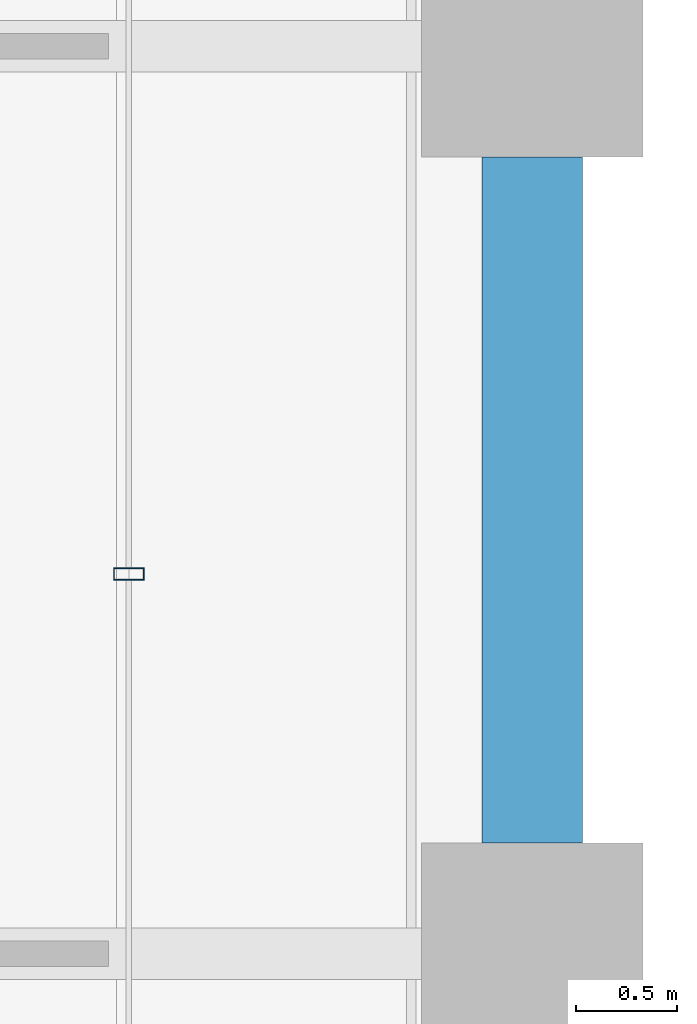
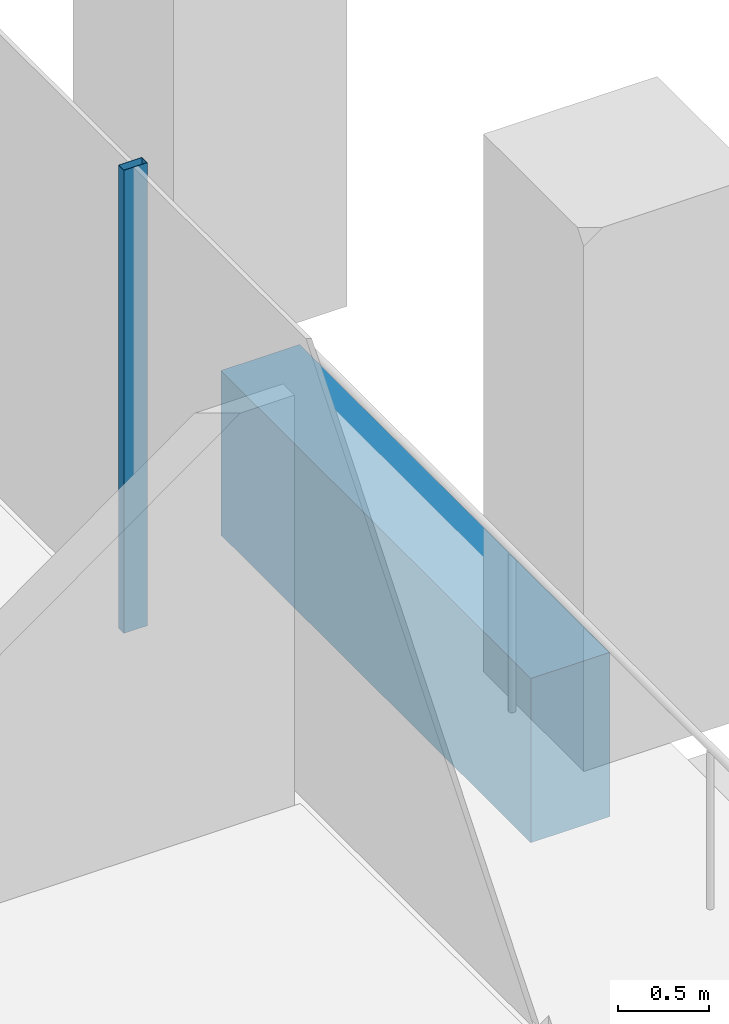
# One storey, part 20 of 56: 1 beam, 1 member, 1 element without a shape of its own.
"""IFC4 building model written with IfcOpenShell, lengths in metres."""

import ifcopenshell
import ifcopenshell.guid

model = None  # the IFC model being written
_history = None  # IfcOwnerHistory: only IFC2X3 demands one
_inside = {}  # id of a spatial element -> (the spatial element, [elements in it])
_under = {}  # id of a project, library or spatial element -> (it, [spatial elements below it])
_declared = {}  # id of a project -> (the project, [libraries it declares])
_typed = {}  # id of a type object -> (the type object, [elements of that type])
_made_of = {}  # id of a material, layer set ... -> (it, [elements and type objects made of it])


def new_model(schema):
    """Start an empty IFC model of exactly this schema.

    Asked for "IFC4X3", IfcOpenShell would pick the latest addendum, in which some entities
    have other attributes; the version numbers below select the first issue.
    IFC2X3 requires an IfcOwnerHistory on every rooted entity: one is made here for all.
    """
    global model, _history
    if schema == "IFC4X3":
        model = ifcopenshell.file(schema_version=(4, 3, 0, 0))
    else:
        model = ifcopenshell.file(schema=schema)
    _inside.clear()
    _under.clear()
    _declared.clear()
    _typed.clear()
    _made_of.clear()
    _history = None
    if model.schema == "IFC2X3":
        org = make("IfcOrganization", Name="unknown")
        user = make(
            "IfcPersonAndOrganization",
            ThePerson=make("IfcPerson", FamilyName="unknown"),
            TheOrganization=org,
        )
        app = make(
            "IfcApplication",
            ApplicationDeveloper=org,
            Version="unknown",
            ApplicationFullName="unknown",
            ApplicationIdentifier="unknown",
        )
        _history = make(
            "IfcOwnerHistory",
            OwningUser=user,
            OwningApplication=app,
            ChangeAction="ADDED",
            CreationDate=0,
        )
    return model


def make(cls, **values):
    """One entity of the class cls with the attributes given. An attribute that is None is left unset."""
    return model.create_entity(
        cls, **{name: value for name, value in values.items() if value is not None}
    )


def rooted(cls, **values):
    """An entity with a GlobalId (a new one), such as an element, a storey or a relation."""
    return make(cls, GlobalId=ifcopenshell.guid.new(), OwnerHistory=_history, **values)


def si_unit(unit_type, name, prefix=None):
    """IfcSIUnit, for example si_unit("LENGTHUNIT", "METRE", prefix="MILLI")."""
    return make("IfcSIUnit", UnitType=unit_type, Prefix=prefix, Name=name)


def assignment(units):
    """IfcUnitAssignment: the units of a project."""
    return None if units is None else make("IfcUnitAssignment", Units=units)


def point(xyz):
    """IfcCartesianPoint."""
    return None if xyz is None else make("IfcCartesianPoint", Coordinates=xyz)


def direction(xyz):
    """IfcDirection."""
    return None if xyz is None else make("IfcDirection", DirectionRatios=xyz)


def frame(location, z_axis=None, x_axis=None):
    """IfcAxis2Placement3D, a coordinate frame: its origin and axes. An axis left out is left unset."""
    return make(
        "IfcAxis2Placement3D",
        Location=point(location),
        Axis=direction(z_axis),
        RefDirection=direction(x_axis),
    )


def frame_2d(location, x_axis=None):
    """IfcAxis2Placement2D, a coordinate frame in the plane: its origin and x axis."""
    return make(
        "IfcAxis2Placement2D", Location=point(location), RefDirection=direction(x_axis)
    )


def origin():
    """The frame at (0, 0, 0) with its axes left unset."""
    return frame((0.0, 0.0, 0.0))


def origin_2d():
    """The frame at (0, 0) in the plane with its x axis left unset."""
    return frame_2d((0.0, 0.0))


def place(relative_to, where):
    """IfcLocalPlacement: puts the frame where relative to a parent placement (None: the world)."""
    return make(
        "IfcLocalPlacement", PlacementRelTo=relative_to, RelativePlacement=where
    )


def context(
    kind, dimensions, precision=None, world=None, true_north=None, identifier=None
):
    """IfcGeometricRepresentationContext, for example the 3D "Model" context."""
    return make(
        "IfcGeometricRepresentationContext",
        ContextIdentifier=identifier,
        ContextType=kind,
        CoordinateSpaceDimension=dimensions,
        Precision=precision,
        WorldCoordinateSystem=world,
        TrueNorth=true_north,
    )


def subcontext(parent, identifier, kind, view, scale=None):
    """IfcGeometricRepresentationSubContext, for example "Body" below "Model"."""
    return make(
        "IfcGeometricRepresentationSubContext",
        ContextIdentifier=identifier,
        ContextType=kind,
        ParentContext=parent,
        TargetScale=scale,
        TargetView=view,
    )


def project(units=None, contexts=None):
    """IfcProject with its units and contexts."""
    return rooted(
        "IfcProject",
        Name="project",
        RepresentationContexts=contexts,
        UnitsInContext=assignment(units),
    )


def spatial(cls, under=None, at=None, **own):
    """A site, building, storey or space (cls), placed at a placement, below another one or the project."""
    s = rooted(cls, ObjectPlacement=at, **own)
    if under is not None:
        _under.setdefault(under.id(), (under, []))[1].append(s)
    return s


def profile(cls, at=None, kind="AREA", **sizes):
    """A parametric profile (cls). Its sizes go by their IFC names, for example OverallWidth=200.0."""
    return make(cls, ProfileType=kind, Position=at, **sizes)


def rectangle(**sizes):
    """IfcRectangleProfileDef."""
    return profile("IfcRectangleProfileDef", **sizes)


def hollow_rectangle(**sizes):
    """IfcRectangleHollowProfileDef."""
    return profile("IfcRectangleHollowProfileDef", **sizes)


def extrude(swept, where, along, depth):
    """IfcExtrudedAreaSolid: the profile swept, set in the frame where, extruded along a direction by depth."""
    return make(
        "IfcExtrudedAreaSolid",
        SweptArea=swept,
        Position=where,
        ExtrudedDirection=direction(along),
        Depth=depth,
    )


def shape(context_of_items, identifier, shape_type, items):
    """IfcShapeRepresentation: the items that make up one representation, for example the "Body"."""
    return make(
        "IfcShapeRepresentation",
        ContextOfItems=context_of_items,
        RepresentationIdentifier=identifier,
        RepresentationType=shape_type,
        Items=items,
    )


def material(Name=None, Category=None):
    """IfcMaterial."""
    return make("IfcMaterial", Name=Name, Category=Category)


def material_profile(
    of_material, cross_section, Name=None, Category=None, Priority=None
):
    """IfcMaterialProfile: a cross section and its material."""
    return make(
        "IfcMaterialProfile",
        Name=Name,
        Material=of_material,
        Profile=cross_section,
        Priority=Priority,
        Category=Category,
    )


def profile_set(profiles, Name=None, composite=None):
    """IfcMaterialProfileSet."""
    return make(
        "IfcMaterialProfileSet",
        Name=Name,
        MaterialProfiles=profiles,
        CompositeProfile=composite,
    )


def made_of(thing, what):
    """Note that an element or type object is made of a material, layer set ...; save() writes the relation."""
    if what is not None:
        _made_of.setdefault(what.id(), (what, []))[1].append(thing)
    return thing


def type_object(cls, material=None, **own):
    """A type object (cls), such as IfcWallType, which elements share."""
    return made_of(rooted(cls, **own), material)


def element(
    cls,
    number,
    at=None,
    inside=None,
    cuts=None,
    type_object=None,
    material=None,
    context=None,
    identifier="Body",
    shape_type=None,
    held_by="IfcProductDefinitionShape",
    body=None,
    shapes=None,
    **own,
):
    """One element of the class cls, such as IfcWall. Its Tag is "e" and its number.

    at: its placement. inside: the storey or other place that contains it. cuts: it is an
    opening in that element (IfcRelVoidsElement). A single representation is given by context,
    identifier, shape_type and body (its items); several are given by shapes. held_by: the class
    of the entity that holds the representations. save() writes the other relations.
    """
    e = rooted(cls, Tag="e%d" % number, ObjectPlacement=at, **own)
    if body is not None:
        shapes = [shape(context, identifier, shape_type, body)]
    if shapes is not None:
        e.Representation = make(held_by, Representations=shapes)
    if inside is not None:
        _inside.setdefault(inside.id(), (inside, []))[1].append(e)
    if cuts is not None:
        rooted(
            "IfcRelVoidsElement", RelatingBuildingElement=cuts, RelatedOpeningElement=e
        )
    if type_object is not None:
        _typed.setdefault(type_object.id(), (type_object, []))[1].append(e)
    return made_of(e, material)


def aggregate(whole, parts):
    """IfcRelAggregates: a whole, such as a stair, and the parts it consists of."""
    return rooted("IfcRelAggregates", RelatingObject=whole, RelatedObjects=parts)


def save(model, path):
    """Write the relations noted so far, then the file.

    IfcRelAggregates (storeys below a building ...), IfcRelContainedInSpatialStructure (elements
    in a storey), IfcRelDefinesByType, IfcRelAssociatesMaterial and IfcRelDeclares: one each for
    every whole, place, type object, material and project.
    """
    for whole, parts in _under.values():
        aggregate(whole, parts)
    for where, things in _inside.values():
        rooted(
            "IfcRelContainedInSpatialStructure",
            RelatedElements=things,
            RelatingStructure=where,
        )
    for kind, things in _typed.values():
        rooted("IfcRelDefinesByType", RelatedObjects=things, RelatingType=kind)
    for what, things in _made_of.values():
        rooted("IfcRelAssociatesMaterial", RelatedObjects=things, RelatingMaterial=what)
    for by, libraries in _declared.values():
        rooted("IfcRelDeclares", RelatingContext=by, RelatedDefinitions=libraries)
    model.write(path)


model = new_model("IFC4")

# Units and contexts
model_context = context("Model", 3, precision=1e-05, world=origin(), true_north=direction((0.0, 1.0)))
body_context = subcontext(model_context, "Body", "Model", "MODEL_VIEW")
ifc_project = project(units=[si_unit("LENGTHUNIT", "METRE"), si_unit("AREAUNIT", "SQUARE_METRE"), si_unit("VOLUMEUNIT", "CUBIC_METRE"), si_unit("PLANEANGLEUNIT", "RADIAN"), si_unit("MASSUNIT", "GRAM", prefix="KILO")], contexts=[model_context])

# Site, building, storey
site_placement = place(None, origin())
site = spatial("IfcSite", under=ifc_project, at=site_placement, CompositionType="ELEMENT")
building_placement = place(site_placement, origin())
building = spatial("IfcBuilding", under=site, at=building_placement, Name="Altepetl Exchange Towers", CompositionType="ELEMENT")
storey_placement = place(building_placement, frame((0.0, 0.0, 76.199951171875)))
storey = spatial("IfcBuildingStorey", under=building, at=storey_placement, Name="L18", CompositionType="ELEMENT", Elevation=76.199951171875)

# Curtain wall, member
ifc_material_1 = material(Name="Aluminium 6063-T6 glazing", Category="aluminium")
curtain_wall_type = type_object("IfcCurtainWallType", Name="Loggia glazing system", PredefinedType="NOTDEFINED", material=ifc_material_1)
curtain_wall_placement = place(storey_placement, origin())
curtain_wall = element("IfcCurtainWall", 1, at=curtain_wall_placement, inside=storey, type_object=curtain_wall_type, Name="CW1 run", PredefinedType="NOTDEFINED")
ifc_material_2 = material(Name="Aluminium 6063-T6", Category="aluminium")
ifc_material_profile_1 = material_profile(ifc_material_2, hollow_rectangle(XDim=0.06005859375, YDim=0.14990234375, WallThickness=0.0029296875, at=origin_2d()), Name="Mullion 60x150 aluminium")
ifc_profile_set_1 = profile_set([ifc_material_profile_1], Name="Aluminium 6063-T6")
member_type = type_object("IfcMemberType", Name="Mullion 60x150 aluminium", PredefinedType="MULLION", material=ifc_profile_set_1)
member_placement = place(storey_placement, frame((70.0, 46.883056640625, 0.0), z_axis=(0.0, 0.0, 1.0), x_axis=(0.0, 1.0, 0.0)))
member = element("IfcMember", 2, at=member_placement, type_object=member_type, Name="MU1 mullion", PredefinedType="MULLION", context=body_context, shape_type="SweptSolid", body=[
    extrude(hollow_rectangle(XDim=0.06005859375, YDim=0.14990234375, WallThickness=0.0029296875, at=origin_2d()), origin(), (0.0, 0.0, 1.0), 3.10009765625),
])
aggregate(curtain_wall, [member])

# Beam
ifc_material_3 = material(Name="Concrete C50/60 precast with cantera amarilla facing", Category="concrete")
ifc_material_profile_2 = material_profile(ifc_material_3, rectangle(XDim=0.5, YDim=1.10009765625, at=origin_2d()), Name="500 x 1100")
ifc_profile_set_2 = profile_set([ifc_material_profile_2], Name="Concrete C50/60 precast with cantera amarilla facing")
beam_type = type_object("IfcBeamType", Name="Spandrel beam 500x1100 cantera amarilla", PredefinedType="SPANDREL", material=ifc_profile_set_2)
beam_placement = place(storey_placement, frame((72.0, 45.550048828125, -0.699951171875), z_axis=(0.0, 1.0, 0.0), x_axis=(-1.0, 0.0, 0.0)))
element("IfcBeam", 3, at=beam_placement, inside=storey, type_object=beam_type, Name="sp:A:L18:015", PredefinedType="SPANDREL", context=body_context, shape_type="SweptSolid", body=[
    extrude(rectangle(XDim=0.5, YDim=1.10009765625, at=origin_2d()), origin(), (0.0, 0.0, 1.0), 3.39990234375),
])

save(model, "model.ifc")
